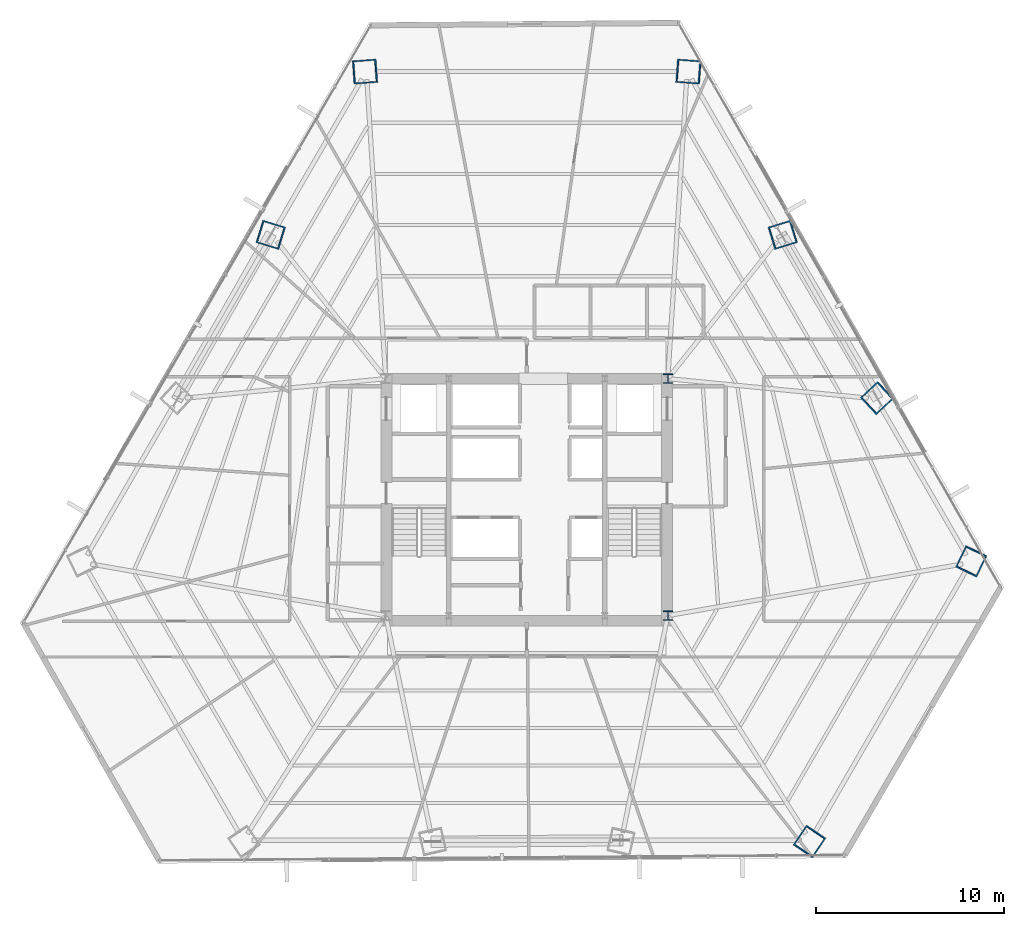
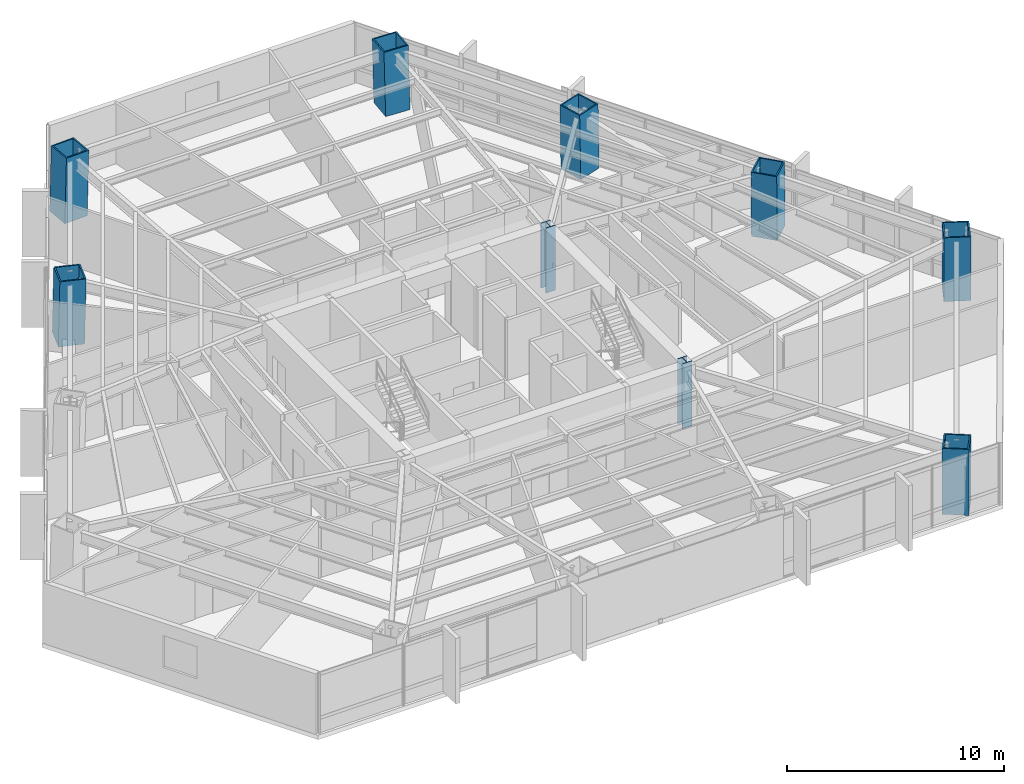
# One storey, part 2 of 34: 9 columns.
"""IFC4 building model written with IfcOpenShell, lengths in metres."""

from ifc_helpers import new_model, si_unit, direction, frame, origin, origin_2d, place, context, subcontext, project, spatial, hollow_rectangle, i_section, extrude, source, transform, mapped, material, material_profile, profile_set, type_object, type_shapes, element, save


model = new_model("IFC4")

# Units and contexts
model_context = context("Model", 3, precision=1e-05, world=origin(), true_north=direction((0.0, 1.0)))
body_context = subcontext(model_context, "Body", "Model", "MODEL_VIEW")
ifc_project = project(units=[si_unit("LENGTHUNIT", "METRE"), si_unit("AREAUNIT", "SQUARE_METRE"), si_unit("VOLUMEUNIT", "CUBIC_METRE"), si_unit("PLANEANGLEUNIT", "RADIAN"), si_unit("MASSUNIT", "GRAM", prefix="KILO")], contexts=[model_context])

# Site, building, storey
site_placement = place(None, origin())
site = spatial("IfcSite", under=ifc_project, at=site_placement, CompositionType="ELEMENT")
building_placement = place(site_placement, origin())
building = spatial("IfcBuilding", under=site, at=building_placement, Name="Caelisora Broadcast Tower", CompositionType="ELEMENT")
storey_placement = place(building_placement, frame((0.0, 0.0, 56.800048828125)))
storey = spatial("IfcBuildingStorey", under=building, at=storey_placement, Name="L14", CompositionType="ELEMENT", Elevation=56.800048828125)

# Columns
ifc_material_1 = material(Name="Steel Grade 350 (AS/NZS 3679.2)", Category="steel")
ifc_material_profile_1 = material_profile(ifc_material_1, i_section(OverallWidth=0.5, OverallDepth=0.5, WebThickness=0.028076171875, FlangeThickness=0.0400390625, at=origin_2d()), Name="Steel Grade 350 (AS/NZS 3679.2)")
ifc_profile_set_1 = profile_set([ifc_material_profile_1], Name="Steel Grade 350 (AS/NZS 3679.2)")
column_type_1 = type_object("IfcColumnType", Name="CC01", PredefinedType="COLUMN", material=ifc_profile_set_1)
shared_shape_1 = source(origin(), body_context, "Body", "SweptSolid", [
    extrude(i_section(OverallWidth=0.5, OverallDepth=0.5, WebThickness=0.028076171875, FlangeThickness=0.0400390625, at=origin_2d()), origin(), (0.0, 0.0, 1.0), 3.64990234375),
])
type_shapes(column_type_1, [shared_shape_1])
for number, where, z_axis, x_axis, name in (
    (1, (45.5, 17.39990234375, 0.0), (0.0, 0.0, 1.0), (1.0, 0.0, 0.0), "L14 column CC01"),
    (2, (45.5, 30.0, 0.0), (0.0, 0.0, 1.0), (1.0, 0.0, 0.0), "L14 column CC01"),
):
    element("IfcColumn", number, at=place(storey_placement, frame(where, z_axis=z_axis, x_axis=x_axis)), inside=storey, type_object=column_type_1, Name=name, PredefinedType="COLUMN", context=body_context, shape_type="MappedRepresentation", body=[
        mapped(shared_shape_1, transform((0.0, 0.0, 0.0), scale=1.0)),
    ])
ifc_material_2 = material(Name="Steel Grade 350 L15 (AS/NZS 3678)", Category="steel")
ifc_material_profile_2 = material_profile(ifc_material_2, hollow_rectangle(XDim=1.25, YDim=1.25, WallThickness=0.070068359375, at=origin_2d()), Name="Steel Grade 350 L15 (AS/NZS 3678)")
ifc_profile_set_2 = profile_set([ifc_material_profile_2], Name="Steel Grade 350 L15 (AS/NZS 3678)")
column_type_2 = type_object("IfcColumnType", Name="MC02", PredefinedType="COLUMN", material=ifc_profile_set_2)
shared_shape_2 = source(origin(), body_context, "Body", "SweptSolid", [
    extrude(hollow_rectangle(XDim=1.25, YDim=1.25, WallThickness=0.070068359375, at=origin_2d()), origin(), (0.0, 0.0, 1.0), 3.65087890625),
])
for number, where, z_axis, x_axis, name in (
    (3, (46.614013671875, 46.323486328125, 0.0), (-0.023872756997, 0.001738632162, 0.999713493273), (-0.07263675076, -0.997358462359, 0.0), "L14 column MC02"),
    (4, (29.385986328125, 46.323486328125, 0.0), (0.023872756997, 0.001738632162, 0.999713493273), (-0.07263675076, 0.997358462359, 0.0), "L14 column MC02"),
    (5, (53.025634765625, 5.37841796875, 0.0), (0.013440967269, 0.019793663242, 0.999713734673), (-0.827290216258, 0.561774775229, 0.0), "L14 column MC02"),
    (6, (61.6396484375, 20.298095703125, 0.0), (-0.010431795422, -0.021532295679, 0.999713727968), (0.899947055326, -0.435999194506, 0.0), "L14 column MC02"),
):
    element("IfcColumn", number, at=place(storey_placement, frame(where, z_axis=z_axis, x_axis=x_axis)), inside=storey, type_object=column_type_2, Name=name, PredefinedType="COLUMN", context=body_context, shape_type="MappedRepresentation", body=[
        mapped(shared_shape_2, transform((0.0, 0.0, 0.0), scale=1.0)),
    ])
shared_shape_3 = source(origin(), body_context, "Body", "SweptSolid", [
    extrude(hollow_rectangle(XDim=1.25, YDim=1.25, WallThickness=0.070068359375, at=origin_2d()), origin(), (0.0, 0.0, 1.0), 3.650634765625),
])
type_shapes(column_type_2, [shared_shape_2, shared_shape_3])
for number, where, z_axis, x_axis, name in (
    (7, (24.37744140625, 37.648193359375, 0.0), (0.019394001249, -0.005951952107, 0.999794202314), (0.293390827749, 0.9559925848, 0.0), "L14 column MC02"),
    (8, (56.631103515625, 28.973388671875, 0.0), (-0.014913299626, -0.013843287097, 0.999792957015), (0.680325028146, -0.732910537568, 0.0), "L14 column MC02"),
    (9, (51.62255859375, 37.648193359375, 0.0), (-0.019394001249, -0.005951952107, 0.999794202314), (0.293390827749, -0.9559925848, 0.0), "L14 column MC02"),
):
    element("IfcColumn", number, at=place(storey_placement, frame(where, z_axis=z_axis, x_axis=x_axis)), inside=storey, type_object=column_type_2, Name=name, PredefinedType="COLUMN", context=body_context, shape_type="MappedRepresentation", body=[
        mapped(shared_shape_3, transform((0.0, 0.0, 0.0), scale=1.0)),
    ])

save(model, "model.ifc")
